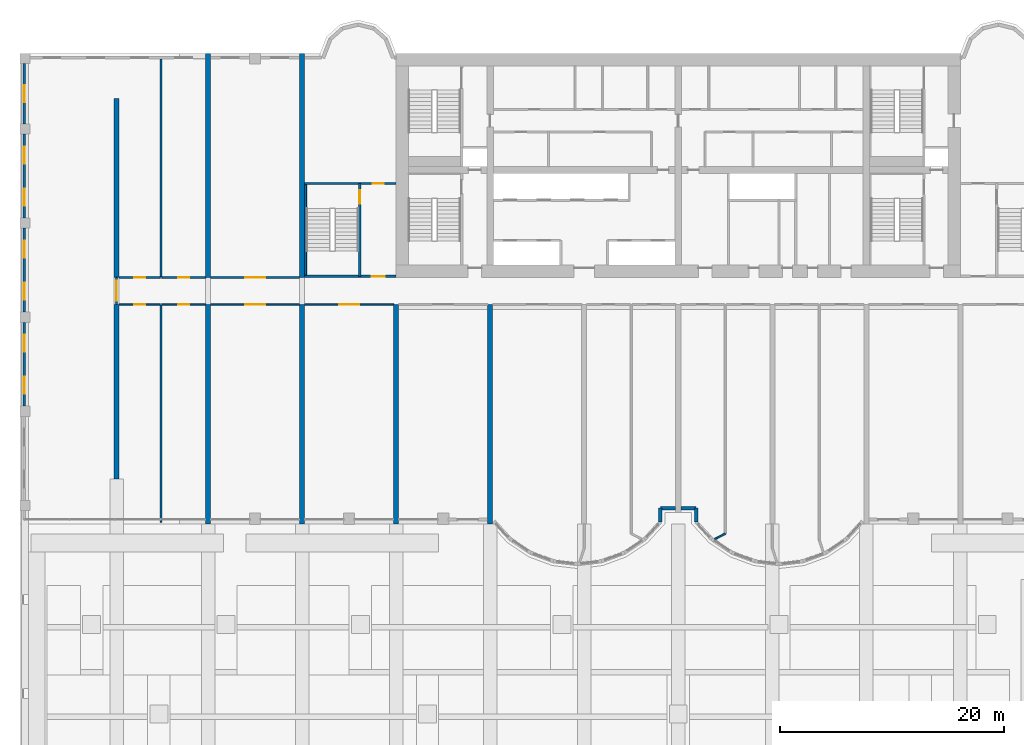
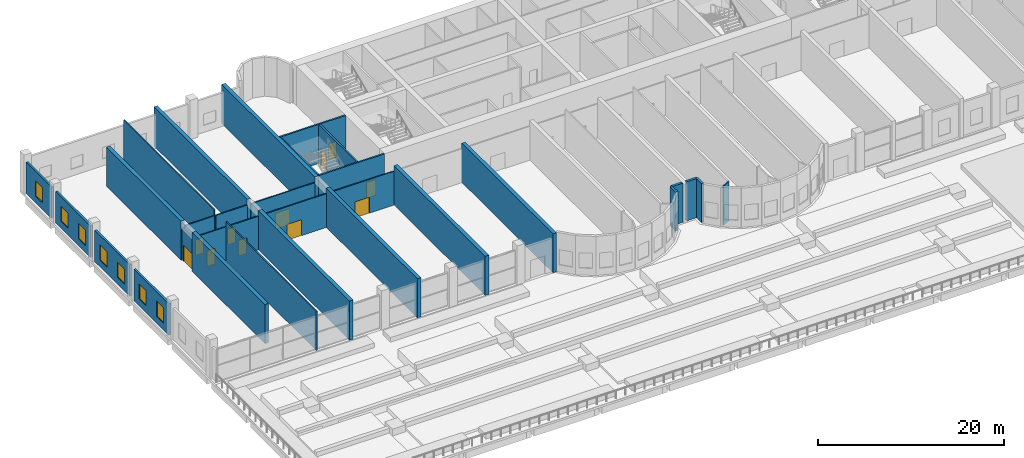
# One storey, part 9 of 20: 31 walls, 11 doors, 7 windows, 18 openings.
"""IFC4 building model written with IfcOpenShell, lengths in metres."""

from ifc_helpers import new_model, si_unit, direction, frame, frame_2d, origin, place, context, subcontext, project, spatial, rectangle, extrude, source, transform, mapped, material, layer, layer_set, type_object, element, fill, save


model = new_model("IFC4")

# Units and contexts
model_context = context("Model", 3, precision=1e-05, world=origin(), true_north=direction((0.0, 1.0)))
body_context = subcontext(model_context, "Body", "Model", "MODEL_VIEW")
ifc_project = project(units=[si_unit("LENGTHUNIT", "METRE"), si_unit("AREAUNIT", "SQUARE_METRE"), si_unit("VOLUMEUNIT", "CUBIC_METRE"), si_unit("PLANEANGLEUNIT", "RADIAN"), si_unit("MASSUNIT", "GRAM", prefix="KILO")], contexts=[model_context])

# Site, building, storey
site_placement = place(None, origin())
site = spatial("IfcSite", under=ifc_project, at=site_placement, CompositionType="ELEMENT")
building_placement = place(site_placement, origin())
building = spatial("IfcBuilding", under=site, at=building_placement, Name="Vanashikhar Sky Hotel", CompositionType="ELEMENT")
storey_placement = place(building_placement, frame((0.0, 0.0, 6.0)))
storey = spatial("IfcBuildingStorey", under=building, at=storey_placement, Name="L01", CompositionType="ELEMENT", Elevation=6.0)

# Walls
ifc_material_1 = material(Name="Concrete M80", Category="concrete")
ifc_layer_1 = layer(ifc_material_1, 0.449951171875)
ifc_layer_set_1 = layer_set([ifc_layer_1], Name="RC shear wall 450 Concrete M80")
wall_type_1 = type_object("IfcWallType", Name="RC shear wall 450 Concrete M80", PredefinedType="SHEAR", material=ifc_layer_set_1)
shared_shape_1 = source(origin(), body_context, "Body", "SweptSolid", [
    extrude(rectangle(XDim=15.60009765625, YDim=0.449951171875, at=frame_2d((7.800048828125, 0.0))), origin(), (0.0, 0.0, 1.0), 5.1201171875),
])
wall_1_placement = place(storey_placement, frame((0.22509765625, 4.0, 0.0), z_axis=(0.0, 0.0, 1.0), x_axis=(0.0, 1.0, 0.0)))
element("IfcWall", 1, at=wall_1_placement, inside=storey, type_object=wall_type_1, Name="CW-L01-XW01-1", PredefinedType="SHEAR", context=body_context, shape_type="MappedRepresentation", body=[
    mapped(shared_shape_1, transform((0.0, 0.0, 0.0), scale=1.0)),
])
shared_shape_2 = source(origin(), body_context, "Body", "SweptSolid", [
    extrude(rectangle(XDim=16.0, YDim=0.449951171875, at=frame_2d((8.0, 0.0))), origin(), (0.0, 0.0, 1.0), 5.1201171875),
])
wall_2_placement = place(storey_placement, frame((0.22509765625, 22.0, 0.0), z_axis=(0.0, 0.0, 1.0), x_axis=(0.0, 1.0, 0.0)))
element("IfcWall", 2, at=wall_2_placement, inside=storey, type_object=wall_type_1, Name="CW-L01-XW01-2", PredefinedType="SHEAR", context=body_context, shape_type="MappedRepresentation", body=[
    mapped(shared_shape_2, transform((0.0, 0.0, 0.0), scale=1.0)),
])
shared_shape_3 = source(origin(), body_context, "Body", "SweptSolid", [
    extrude(rectangle(XDim=19.60009765625, YDim=0.449951171875, at=frame_2d((9.800048828125, 0.0))), origin(), (0.0, 0.0, 1.0), 5.1201171875),
])
for number, where, z_axis, x_axis, name in (
    (3, (8.39990234375, 0.0, 0.0), (0.0, 0.0, 1.0), (0.0, 1.0, 0.0), "CW-L01-XW02-1"),
    (4, (16.800048828125, 0.0, 0.0), (0.0, 0.0, 1.0), (0.0, 1.0, 0.0), "CW-L01-XW03-1"),
    (5, (25.199951171875, 0.0, 0.0), (0.0, 0.0, 1.0), (0.0, 1.0, 0.0), "CW-L01-XW04-1"),
    (6, (33.60009765625, 0.0, 0.0), (0.0, 0.0, 1.0), (0.0, 1.0, 0.0), "CW-L01-XW05-1"),
):
    element("IfcWall", number, at=place(storey_placement, frame(where, z_axis=z_axis, x_axis=x_axis)), inside=storey, type_object=wall_type_1, Name=name, PredefinedType="SHEAR", context=body_context, shape_type="MappedRepresentation", body=[
        mapped(shared_shape_3, transform((0.0, 0.0, 0.0), scale=1.0)),
    ])
shared_shape_4 = source(origin(), body_context, "Body", "SweptSolid", [
    extrude(rectangle(XDim=20.0, YDim=0.449951171875, at=frame_2d((10.0, 0.0))), origin(), (0.0, 0.0, 1.0), 5.1201171875),
])
for number, where, z_axis, x_axis, name in (
    (7, (8.39990234375, 22.0, 0.0), (0.0, 0.0, 1.0), (0.0, 1.0, 0.0), "CW-L01-XW02-2"),
    (8, (16.800048828125, 22.0, 0.0), (0.0, 0.0, 1.0), (0.0, 1.0, 0.0), "CW-L01-XW03-2"),
):
    element("IfcWall", number, at=place(storey_placement, frame(where, z_axis=z_axis, x_axis=x_axis)), inside=storey, type_object=wall_type_1, Name=name, PredefinedType="SHEAR", context=body_context, shape_type="MappedRepresentation", body=[
        mapped(shared_shape_4, transform((0.0, 0.0, 0.0), scale=1.0)),
    ])
ifc_material_2 = material(Name="Concrete M50", Category="concrete")
ifc_layer_2 = layer(ifc_material_2, 0.300048828125)
ifc_layer_set_2 = layer_set([ifc_layer_2], Name="Lobe wall 300")
wall_type_2 = type_object("IfcWallType", Name="Lobe wall 300", PredefinedType="SOLIDWALL", material=ifc_layer_set_2)
shared_shape_5 = source(origin(), body_context, "Body", "SweptSolid", [
    extrude(rectangle(XDim=1.244384765625, YDim=0.300048828125, at=frame_2d((0.6220703125, 0.0))), origin(), (0.0, 0.0, 1.0), 5.1201171875),
])
for number, where, z_axis, x_axis, name in (
    (9, (48.800048828125, 0.155517578125, 0.0), (0.0, 0.0, 1.0), (0.0, 1.0, 0.0), "Groove wall"),
    (10, (52.0, 1.39990234375, 0.0), (0.0, 0.0, 1.0), (0.0, -1.0, 0.0), "Groove wall"),
):
    element("IfcWall", number, at=place(storey_placement, frame(where, z_axis=z_axis, x_axis=x_axis)), inside=storey, type_object=wall_type_2, Name=name, PredefinedType="SOLIDWALL", context=body_context, shape_type="MappedRepresentation", body=[
        mapped(shared_shape_5, transform((0.0, 0.0, 0.0), scale=1.0)),
    ])
shared_shape_6 = source(origin(), body_context, "Body", "SweptSolid", [
    extrude(rectangle(XDim=1.375, YDim=0.300048828125, at=frame_2d((0.6875, 0.0))), origin(), (0.0, 0.0, 1.0), 5.1201171875),
])
for number, where, z_axis, x_axis, name in (
    (11, (48.800048828125, 1.39990234375, 0.0), (0.0, 0.0, 1.0), (1.0, 0.0, 0.0), "Groove wall"),
    (12, (50.625, 1.39990234375, 0.0), (0.0, 0.0, 1.0), (1.0, 0.0, 0.0), "Groove wall"),
):
    element("IfcWall", number, at=place(storey_placement, frame(where, z_axis=z_axis, x_axis=x_axis)), inside=storey, type_object=wall_type_2, Name=name, PredefinedType="SOLIDWALL", context=body_context, shape_type="MappedRepresentation", body=[
        mapped(shared_shape_6, transform((0.0, 0.0, 0.0), scale=1.0)),
    ])

# Wall, openings, windows
ifc_layer_3 = layer(ifc_material_2, 0.25)
ifc_layer_set_3 = layer_set([ifc_layer_3], Name="Rear and end board-marked wall 250")
wall_type_3 = type_object("IfcWallType", Name="Rear and end board-marked wall 250", PredefinedType="SOLIDWALL", material=ifc_layer_set_3)
shared_shape_7 = source(origin(), body_context, "Body", "SweptSolid", [
    extrude(rectangle(XDim=7.5, YDim=0.25, at=frame_2d((3.75, 0.0))), origin(), (0.0, 0.0, 1.0), 4.1201171875),
])
wall_3_placement = place(storey_placement, frame((-8.02490234375, 34.800048828125, 0.0), z_axis=(0.0, 0.0, 1.0), x_axis=(0.0, -1.0, 0.0)))
wall_3 = element("IfcWall", 13, at=wall_3_placement, inside=storey, type_object=wall_type_3, Name="Podium external wall", PredefinedType="SOLIDWALL", context=body_context, shape_type="MappedRepresentation", body=[
    mapped(shared_shape_7, transform((0.0, 0.0, 0.0), scale=1.0)),
])
shared_shape_8 = source(origin(), body_context, "Body", "SweptSolid", [
    extrude(rectangle(XDim=1.5, YDim=2.0, at=frame_2d((0.75, 1.0))), frame((0.0, 0.135009765625, 0.0), z_axis=(0.0, -1.0, 0.0), x_axis=(1.0, 0.0, 0.0)), (0.0, 0.0, 1.0), 0.27001953125),
])
opening_1_placement = place(wall_3_placement, frame((1.125, 0.0, 0.89990234375)))
opening_1 = element("IfcOpeningElement", 14, at=opening_1_placement, cuts=wall_3, Name="Opening WN-2", PredefinedType="OPENING", context=body_context, shape_type="MappedRepresentation", body=[
    mapped(shared_shape_8, transform((0.0, 0.0, 0.0), scale=1.0)),
])
opening_2_placement = place(wall_3_placement, frame((4.875, 0.0, 0.89990234375)))
opening_2 = element("IfcOpeningElement", 15, at=opening_2_placement, cuts=wall_3, Name="Opening WN-2", PredefinedType="OPENING", context=body_context, shape_type="MappedRepresentation", body=[
    mapped(shared_shape_8, transform((0.0, 0.0, 0.0), scale=1.0)),
])
ifc_material_3 = material(Name="Glass", Category="glass")
window_type = type_object("IfcWindowType", Name="Lobe window 1500 x 2000", PartitioningType="SINGLE_PANEL", PredefinedType="WINDOW", material=ifc_material_3)
shared_shape_9 = source(origin(), body_context, "Body", "SweptSolid", [
    extrude(rectangle(XDim=1.5, YDim=2.0, at=frame_2d((0.75, 1.0))), frame((0.0, 0.030029296875, 0.0), z_axis=(0.0, -1.0, 0.0), x_axis=(1.0, 0.0, 0.0)), (0.0, 0.0, 1.0), 0.06005859375),
])
window_1_placement = place(opening_1_placement, origin())
window_1 = element("IfcWindow", 16, at=window_1_placement, inside=storey, type_object=window_type, Name="Window WN-2", OverallHeight=2.0, OverallWidth=1.5, PartitioningType="SINGLE_PANEL", PredefinedType="WINDOW", context=body_context, shape_type="MappedRepresentation", body=[
    mapped(shared_shape_9, transform((0.0, 0.0, 0.0), scale=1.0)),
])
fill(opening_1, window_1)
window_2_placement = place(opening_2_placement, origin())
window_2 = element("IfcWindow", 17, at=window_2_placement, inside=storey, type_object=window_type, Name="Window WN-2", OverallHeight=2.0, OverallWidth=1.5, PartitioningType="SINGLE_PANEL", PredefinedType="WINDOW", context=body_context, shape_type="MappedRepresentation", body=[
    mapped(shared_shape_9, transform((0.0, 0.0, 0.0), scale=1.0)),
])
fill(opening_2, window_2)

wall_4_placement = place(storey_placement, frame((-8.02490234375, 26.39990234375, 0.0), z_axis=(0.0, 0.0, 1.0), x_axis=(0.0, -1.0, 0.0)))
wall_4 = element("IfcWall", 18, at=wall_4_placement, inside=storey, type_object=wall_type_3, Name="Podium external wall", PredefinedType="SOLIDWALL", context=body_context, shape_type="MappedRepresentation", body=[
    mapped(shared_shape_7, transform((0.0, 0.0, 0.0), scale=1.0)),
])
opening_3_placement = place(wall_4_placement, frame((1.125, 0.0, 0.89990234375)))
opening_3 = element("IfcOpeningElement", 19, at=opening_3_placement, cuts=wall_4, Name="Opening WN-2", PredefinedType="OPENING", context=body_context, shape_type="MappedRepresentation", body=[
    mapped(shared_shape_8, transform((0.0, 0.0, 0.0), scale=1.0)),
])
opening_4_placement = place(wall_4_placement, frame((4.875, 0.0, 0.89990234375)))
opening_4 = element("IfcOpeningElement", 20, at=opening_4_placement, cuts=wall_4, Name="Opening WN-2", PredefinedType="OPENING", context=body_context, shape_type="MappedRepresentation", body=[
    mapped(shared_shape_8, transform((0.0, 0.0, 0.0), scale=1.0)),
])
window_3_placement = place(opening_3_placement, origin())
window_3 = element("IfcWindow", 21, at=window_3_placement, inside=storey, type_object=window_type, Name="Window WN-2", OverallHeight=2.0, OverallWidth=1.5, PartitioningType="SINGLE_PANEL", PredefinedType="WINDOW", context=body_context, shape_type="MappedRepresentation", body=[
    mapped(shared_shape_9, transform((0.0, 0.0, 0.0), scale=1.0)),
])
fill(opening_3, window_3)
window_4_placement = place(opening_4_placement, origin())
window_4 = element("IfcWindow", 22, at=window_4_placement, inside=storey, type_object=window_type, Name="Window WN-2", OverallHeight=2.0, OverallWidth=1.5, PartitioningType="SINGLE_PANEL", PredefinedType="WINDOW", context=body_context, shape_type="MappedRepresentation", body=[
    mapped(shared_shape_9, transform((0.0, 0.0, 0.0), scale=1.0)),
])
fill(opening_4, window_4)

wall_5_placement = place(storey_placement, frame((-8.02490234375, 18.0, 0.0), z_axis=(0.0, 0.0, 1.0), x_axis=(0.0, -1.0, 0.0)))
wall_5 = element("IfcWall", 23, at=wall_5_placement, inside=storey, type_object=wall_type_3, Name="Podium external wall", PredefinedType="SOLIDWALL", context=body_context, shape_type="MappedRepresentation", body=[
    mapped(shared_shape_7, transform((0.0, 0.0, 0.0), scale=1.0)),
])
opening_5_placement = place(wall_5_placement, frame((1.125, 0.0, 0.89990234375)))
opening_5 = element("IfcOpeningElement", 24, at=opening_5_placement, cuts=wall_5, Name="Opening WN-2", PredefinedType="OPENING", context=body_context, shape_type="MappedRepresentation", body=[
    mapped(shared_shape_8, transform((0.0, 0.0, 0.0), scale=1.0)),
])
opening_6_placement = place(wall_5_placement, frame((4.875, 0.0, 0.89990234375)))
opening_6 = element("IfcOpeningElement", 25, at=opening_6_placement, cuts=wall_5, Name="Opening WN-2", PredefinedType="OPENING", context=body_context, shape_type="MappedRepresentation", body=[
    mapped(shared_shape_8, transform((0.0, 0.0, 0.0), scale=1.0)),
])
window_5_placement = place(opening_5_placement, origin())
window_5 = element("IfcWindow", 26, at=window_5_placement, inside=storey, type_object=window_type, Name="Window WN-2", OverallHeight=2.0, OverallWidth=1.5, PartitioningType="SINGLE_PANEL", PredefinedType="WINDOW", context=body_context, shape_type="MappedRepresentation", body=[
    mapped(shared_shape_9, transform((0.0, 0.0, 0.0), scale=1.0)),
])
fill(opening_5, window_5)
window_6_placement = place(opening_6_placement, origin())
window_6 = element("IfcWindow", 27, at=window_6_placement, inside=storey, type_object=window_type, Name="Window WN-2", OverallHeight=2.0, OverallWidth=1.5, PartitioningType="SINGLE_PANEL", PredefinedType="WINDOW", context=body_context, shape_type="MappedRepresentation", body=[
    mapped(shared_shape_9, transform((0.0, 0.0, 0.0), scale=1.0)),
])
fill(opening_6, window_6)

# Wall, opening, window
shared_shape_10 = source(origin(), body_context, "Body", "SweptSolid", [
    extrude(rectangle(XDim=5.400146484375, YDim=0.25, at=frame_2d((2.7001953125, 0.0))), origin(), (0.0, 0.0, 1.0), 4.1201171875),
])
wall_6_placement = place(storey_placement, frame((-8.02490234375, 41.10009765625, 0.0), z_axis=(0.0, 0.0, 1.0), x_axis=(0.0, -1.0, 0.0)))
wall_6 = element("IfcWall", 28, at=wall_6_placement, inside=storey, type_object=wall_type_3, Name="Podium external wall", PredefinedType="SOLIDWALL", context=body_context, shape_type="MappedRepresentation", body=[
    mapped(shared_shape_10, transform((0.0, 0.0, 0.0), scale=1.0)),
])
opening_7_placement = place(wall_6_placement, frame((1.949951171875, 0.0, 0.89990234375)))
opening_7 = element("IfcOpeningElement", 29, at=opening_7_placement, cuts=wall_6, Name="Opening WN-2", PredefinedType="OPENING", context=body_context, shape_type="MappedRepresentation", body=[
    mapped(shared_shape_8, transform((0.0, 0.0, 0.0), scale=1.0)),
])
window_7_placement = place(opening_7_placement, origin())
window_7 = element("IfcWindow", 30, at=window_7_placement, inside=storey, type_object=window_type, Name="Window WN-2", OverallHeight=2.0, OverallWidth=1.5, PartitioningType="SINGLE_PANEL", PredefinedType="WINDOW", context=body_context, shape_type="MappedRepresentation", body=[
    mapped(shared_shape_9, transform((0.0, 0.0, 0.0), scale=1.0)),
])
fill(opening_7, window_7)

# Wall, opening, door
ifc_layer_4 = layer(ifc_material_2, 0.199951171875)
ifc_layer_set_4 = layer_set([ifc_layer_4], Name="Stair wall 200")
wall_type_4 = type_object("IfcWallType", Name="Stair wall 200", PredefinedType="SOLIDWALL", material=ifc_layer_set_4)
shared_shape_11 = source(origin(), body_context, "Body", "SweptSolid", [
    extrude(rectangle(XDim=8.2998046875, YDim=0.199951171875, at=frame_2d((4.14990234375, 0.0))), origin(), (0.0, 0.0, 1.0), 5.1201171875),
])
wall_7_placement = place(storey_placement, frame((21.949951171875, 22.10009765625, 0.0), z_axis=(0.0, 0.0, 1.0), x_axis=(0.0, 1.0, 0.0)))
wall_7 = element("IfcWall", 31, at=wall_7_placement, inside=storey, type_object=wall_type_4, Name="Stair wall 200", PredefinedType="SOLIDWALL", context=body_context, shape_type="MappedRepresentation", body=[
    mapped(shared_shape_11, transform((0.0, 0.0, 0.0), scale=1.0)),
])
shared_shape_12 = source(origin(), body_context, "Body", "SweptSolid", [
    extrude(rectangle(XDim=1.199951171875, YDim=2.10009765625, at=frame_2d((0.60009765625, 1.050048828125))), frame((0.0, 0.10986328125, 0.0), z_axis=(0.0, -1.0, 0.0), x_axis=(1.0, 0.0, 0.0)), (0.0, 0.0, 1.0), 0.219970703125),
])
opening_8_placement = place(wall_7_placement, frame((6.5, 0.0, 0.0)))
opening_8 = element("IfcOpeningElement", 32, at=opening_8_placement, cuts=wall_7, Name="Opening DC-1", PredefinedType="OPENING", context=body_context, shape_type="MappedRepresentation", body=[
    mapped(shared_shape_12, transform((0.0, 0.0, 0.0), scale=1.0)),
])
ifc_material_4 = material(Name="Steel", Category="steel")
door_type_1 = type_object("IfcDoorType", Name="Stair door 1200 FD120", OperationType="NOTDEFINED", PredefinedType="DOOR", material=ifc_material_4)
shared_shape_13 = source(origin(), body_context, "Body", "SweptSolid", [
    extrude(rectangle(XDim=1.199951171875, YDim=2.10009765625, at=frame_2d((0.60009765625, 1.050048828125))), frame((0.0, 0.02490234375, 0.0), z_axis=(0.0, -1.0, 0.0), x_axis=(1.0, 0.0, 0.0)), (0.0, 0.0, 1.0), 0.050048828125),
])
door_1_placement = place(opening_8_placement, origin())
door_1 = element("IfcDoor", 33, at=door_1_placement, inside=storey, type_object=door_type_1, Name="Stair door 1200 FD120", OperationType="SINGLE_SWING_LEFT", OverallHeight=2.10009765625, OverallWidth=1.199951171875, PredefinedType="DOOR", context=body_context, shape_type="MappedRepresentation", body=[
    mapped(shared_shape_13, transform((0.0, 0.0, 0.0), scale=1.0)),
])
fill(opening_8, door_1)

shared_shape_14 = source(origin(), body_context, "Body", "SweptSolid", [
    extrude(rectangle(XDim=8.175048828125, YDim=0.199951171875, at=frame_2d((4.08740234375, 0.0))), origin(), (0.0, 0.0, 1.0), 5.1201171875),
])
wall_8_placement = place(storey_placement, frame((17.02490234375, 22.10009765625, 0.0), z_axis=(0.0, 0.0, 1.0), x_axis=(1.0, 0.0, 0.0)))
wall_8 = element("IfcWall", 34, at=wall_8_placement, inside=storey, type_object=wall_type_4, Name="Stair wall 200", PredefinedType="SOLIDWALL", context=body_context, shape_type="MappedRepresentation", body=[
    mapped(shared_shape_14, transform((0.0, 0.0, 0.0), scale=1.0)),
])
opening_9_placement = place(wall_8_placement, frame((5.97509765625, 0.0, 0.0)))
opening_9 = element("IfcOpeningElement", 35, at=opening_9_placement, cuts=wall_8, Name="Opening DC-2", PredefinedType="OPENING", context=body_context, shape_type="MappedRepresentation", body=[
    mapped(shared_shape_12, transform((0.0, 0.0, 0.0), scale=1.0)),
])
door_type_2 = type_object("IfcDoorType", Name="Firefighting lobby door 1200 FD120", OperationType="NOTDEFINED", PredefinedType="DOOR", material=ifc_material_4)
door_2_placement = place(opening_9_placement, origin())
door_2 = element("IfcDoor", 36, at=door_2_placement, inside=storey, type_object=door_type_2, Name="Firefighting lobby door 1200 FD120", OperationType="SINGLE_SWING_LEFT", OverallHeight=2.10009765625, OverallWidth=1.199951171875, PredefinedType="DOOR", context=body_context, shape_type="MappedRepresentation", body=[
    mapped(shared_shape_13, transform((0.0, 0.0, 0.0), scale=1.0)),
])
fill(opening_9, door_2)

wall_9_placement = place(storey_placement, frame((17.02490234375, 30.39990234375, 0.0), z_axis=(0.0, 0.0, 1.0), x_axis=(1.0, 0.0, 0.0)))
wall_9 = element("IfcWall", 37, at=wall_9_placement, inside=storey, type_object=wall_type_4, Name="Stair wall 200", PredefinedType="SOLIDWALL", context=body_context, shape_type="MappedRepresentation", body=[
    mapped(shared_shape_14, transform((0.0, 0.0, 0.0), scale=1.0)),
])
shared_shape_15 = source(origin(), body_context, "Body", "SweptSolid", [
    extrude(rectangle(XDim=1.0, YDim=2.10009765625, at=frame_2d((0.5, 1.050048828125))), frame((0.0, 0.10986328125, 0.0), z_axis=(0.0, -1.0, 0.0), x_axis=(1.0, 0.0, 0.0)), (0.0, 0.0, 1.0), 0.219970703125),
])
opening_10_placement = place(wall_9_placement, frame((6.074951171875, 0.0, 0.0)))
opening_10 = element("IfcOpeningElement", 38, at=opening_10_placement, cuts=wall_9, Name="Opening DC-6", PredefinedType="OPENING", context=body_context, shape_type="MappedRepresentation", body=[
    mapped(shared_shape_15, transform((0.0, 0.0, 0.0), scale=1.0)),
])
door_type_3 = type_object("IfcDoorType", Name="Pocket door 1000 FD60", OperationType="NOTDEFINED", PredefinedType="DOOR", material=ifc_material_4)
shared_shape_16 = source(origin(), body_context, "Body", "SweptSolid", [
    extrude(rectangle(XDim=1.0, YDim=2.10009765625, at=frame_2d((0.5, 1.050048828125))), frame((0.0, 0.02490234375, 0.0), z_axis=(0.0, -1.0, 0.0), x_axis=(1.0, 0.0, 0.0)), (0.0, 0.0, 1.0), 0.050048828125),
])
door_3_placement = place(opening_10_placement, origin())
door_3 = element("IfcDoor", 39, at=door_3_placement, inside=storey, type_object=door_type_3, Name="Pocket door 1000 FD60", OperationType="SINGLE_SWING_LEFT", OverallHeight=2.10009765625, OverallWidth=1.0, PredefinedType="DOOR", context=body_context, shape_type="MappedRepresentation", body=[
    mapped(shared_shape_16, transform((0.0, 0.0, 0.0), scale=1.0)),
])
fill(opening_10, door_3)

# Wall
ifc_layer_5 = layer(ifc_material_2, 0.175048828125)
ifc_layer_set_5 = layer_set([ifc_layer_5], Name="Stair infill wall 175")
wall_type_5 = type_object("IfcWallType", Name="Stair infill wall 175", PredefinedType="SOLIDWALL", material=ifc_layer_set_5)
shared_shape_17 = source(origin(), body_context, "Body", "SweptSolid", [
    extrude(rectangle(XDim=8.10009765625, YDim=0.175048828125, at=frame_2d((4.050048828125, 0.0))), origin(), (0.0, 0.0, 1.0), 5.1201171875),
])
wall_10_placement = place(storey_placement, frame((17.112060546875, 22.199951171875, 0.0), z_axis=(0.0, 0.0, 1.0), x_axis=(0.0, 1.0, 0.0)))
element("IfcWall", 40, at=wall_10_placement, inside=storey, type_object=wall_type_5, Name="Stair infill wall 175", PredefinedType="SOLIDWALL", context=body_context, shape_type="MappedRepresentation", body=[
    mapped(shared_shape_17, transform((0.0, 0.0, 0.0), scale=1.0)),
])

# Wall, opening, door
ifc_material_5 = material(Name="Gypsum plasterboard partition")
ifc_layer_6 = layer(ifc_material_5, 0.14990234375)
ifc_layer_set_6 = layer_set([ifc_layer_6], Name="Corridor and demising partition 150")
wall_type_6 = type_object("IfcWallType", Name="Corridor and demising partition 150", PredefinedType="PARTITIONING", material=ifc_layer_set_6)
shared_shape_18 = source(origin(), body_context, "Body", "SweptSolid", [
    extrude(rectangle(XDim=3.675048828125, YDim=0.14990234375, at=frame_2d((1.83740234375, 0.0))), origin(), (0.0, 0.0, 1.0), 4.419921875),
])
wall_11_placement = place(storey_placement, frame((0.449951171875, 19.60009765625, 0.0), z_axis=(0.0, 0.0, 1.0), x_axis=(1.0, 0.0, 0.0)))
wall_11 = element("IfcWall", 41, at=wall_11_placement, inside=storey, type_object=wall_type_6, Name="W-L01-PW001", PredefinedType="PARTITIONING", context=body_context, shape_type="MappedRepresentation", body=[
    mapped(shared_shape_18, transform((0.0, 0.0, 0.0), scale=1.0)),
])
shared_shape_19 = source(origin(), body_context, "Body", "SweptSolid", [
    extrude(rectangle(XDim=1.0, YDim=2.10009765625, at=frame_2d((0.5, 1.050048828125))), frame((0.0, 0.0849609375, 0.0), z_axis=(0.0, -1.0, 0.0), x_axis=(1.0, 0.0, 0.0)), (0.0, 0.0, 1.0), 0.169921875),
])
opening_11_placement = place(wall_11_placement, frame((1.337890625, 0.0, 0.0)))
opening_11 = element("IfcOpeningElement", 42, at=opening_11_placement, cuts=wall_11, Name="Opening D-01", PredefinedType="OPENING", context=body_context, shape_type="MappedRepresentation", body=[
    mapped(shared_shape_19, transform((0.0, 0.0, 0.0), scale=1.0)),
])
ifc_material_6 = material(Name="Timber fire door", Category="wood")
door_type_4 = type_object("IfcDoorType", Name="Guest entry door 1000 FD30S", OperationType="NOTDEFINED", PredefinedType="DOOR", material=ifc_material_6)
door_4_placement = place(opening_11_placement, origin())
door_4 = element("IfcDoor", 43, at=door_4_placement, inside=storey, type_object=door_type_4, Name="D-L01-001", OperationType="SINGLE_SWING_LEFT", OverallHeight=2.10009765625, OverallWidth=1.0, PredefinedType="DOOR", context=body_context, shape_type="MappedRepresentation", body=[
    mapped(shared_shape_16, transform((0.0, 0.0, 0.0), scale=1.0)),
])
fill(opening_11, door_4)

wall_12_placement = place(storey_placement, frame((0.449951171875, 22.0, 0.0), z_axis=(0.0, 0.0, 1.0), x_axis=(1.0, 0.0, 0.0)))
wall_12 = element("IfcWall", 44, at=wall_12_placement, inside=storey, type_object=wall_type_6, Name="W-L01-PW027", PredefinedType="PARTITIONING", context=body_context, shape_type="MappedRepresentation", body=[
    mapped(shared_shape_18, transform((0.0, 0.0, 0.0), scale=1.0)),
])
opening_12_placement = place(wall_12_placement, frame((1.337890625, 0.0, 0.0)))
opening_12 = element("IfcOpeningElement", 45, at=opening_12_placement, cuts=wall_12, Name="Opening D-01", PredefinedType="OPENING", context=body_context, shape_type="MappedRepresentation", body=[
    mapped(shared_shape_19, transform((0.0, 0.0, 0.0), scale=1.0)),
])
door_5_placement = place(opening_12_placement, origin())
door_5 = element("IfcDoor", 46, at=door_5_placement, inside=storey, type_object=door_type_4, Name="D-L01-020", OperationType="SINGLE_SWING_LEFT", OverallHeight=2.10009765625, OverallWidth=1.0, PredefinedType="DOOR", context=body_context, shape_type="MappedRepresentation", body=[
    mapped(shared_shape_16, transform((0.0, 0.0, 0.0), scale=1.0)),
])
fill(opening_12, door_5)

shared_shape_20 = source(origin(), body_context, "Body", "SweptSolid", [
    extrude(rectangle(XDim=3.900146484375, YDim=0.14990234375, at=frame_2d((1.9501953125, 0.0))), origin(), (0.0, 0.0, 1.0), 4.419921875),
])
wall_13_placement = place(storey_placement, frame((4.27490234375, 19.60009765625, 0.0), z_axis=(0.0, 0.0, 1.0), x_axis=(1.0, 0.0, 0.0)))
wall_13 = element("IfcWall", 47, at=wall_13_placement, inside=storey, type_object=wall_type_6, Name="W-L01-PW002", PredefinedType="PARTITIONING", context=body_context, shape_type="MappedRepresentation", body=[
    mapped(shared_shape_20, transform((0.0, 0.0, 0.0), scale=1.0)),
])
opening_13_placement = place(wall_13_placement, frame((1.449951171875, 0.0, 0.0)))
opening_13 = element("IfcOpeningElement", 48, at=opening_13_placement, cuts=wall_13, Name="Opening D-01", PredefinedType="OPENING", context=body_context, shape_type="MappedRepresentation", body=[
    mapped(shared_shape_19, transform((0.0, 0.0, 0.0), scale=1.0)),
])
door_6_placement = place(opening_13_placement, origin())
door_6 = element("IfcDoor", 49, at=door_6_placement, inside=storey, type_object=door_type_4, Name="D-L01-002", OperationType="SINGLE_SWING_RIGHT", OverallHeight=2.10009765625, OverallWidth=1.0, PredefinedType="DOOR", context=body_context, shape_type="MappedRepresentation", body=[
    mapped(shared_shape_16, transform((0.0, 0.0, 0.0), scale=1.0)),
])
fill(opening_13, door_6)

wall_14_placement = place(storey_placement, frame((4.27490234375, 22.0, 0.0), z_axis=(0.0, 0.0, 1.0), x_axis=(1.0, 0.0, 0.0)))
wall_14 = element("IfcWall", 50, at=wall_14_placement, inside=storey, type_object=wall_type_6, Name="W-L01-PW028", PredefinedType="PARTITIONING", context=body_context, shape_type="MappedRepresentation", body=[
    mapped(shared_shape_20, transform((0.0, 0.0, 0.0), scale=1.0)),
])
opening_14_placement = place(wall_14_placement, frame((1.449951171875, 0.0, 0.0)))
opening_14 = element("IfcOpeningElement", 51, at=opening_14_placement, cuts=wall_14, Name="Opening D-01", PredefinedType="OPENING", context=body_context, shape_type="MappedRepresentation", body=[
    mapped(shared_shape_19, transform((0.0, 0.0, 0.0), scale=1.0)),
])
door_7_placement = place(opening_14_placement, origin())
door_7 = element("IfcDoor", 52, at=door_7_placement, inside=storey, type_object=door_type_4, Name="D-L01-021", OperationType="SINGLE_SWING_RIGHT", OverallHeight=2.10009765625, OverallWidth=1.0, PredefinedType="DOOR", context=body_context, shape_type="MappedRepresentation", body=[
    mapped(shared_shape_16, transform((0.0, 0.0, 0.0), scale=1.0)),
])
fill(opening_14, door_7)

# Wall
shared_shape_21 = source(origin(), body_context, "Body", "SweptSolid", [
    extrude(rectangle(XDim=19.375, YDim=0.14990234375, at=frame_2d((9.6875, 0.0))), origin(), (0.0, 0.0, 1.0), 5.1201171875),
])
wall_15_placement = place(storey_placement, frame((4.199951171875, 0.14990234375, 0.0), z_axis=(0.0, 0.0, 1.0), x_axis=(0.0, 1.0, 0.0)))
element("IfcWall", 53, at=wall_15_placement, inside=storey, type_object=wall_type_6, Name="W-L01-PW003", PredefinedType="PARTITIONING", context=body_context, shape_type="MappedRepresentation", body=[
    mapped(shared_shape_21, transform((0.0, 0.0, 0.0), scale=1.0)),
])

# Wall, opening, door
shared_shape_22 = source(origin(), body_context, "Body", "SweptSolid", [
    extrude(rectangle(XDim=7.949951171875, YDim=0.14990234375, at=frame_2d((3.97509765625, 0.0))), origin(), (0.0, 0.0, 1.0), 4.419921875),
])
wall_16_placement = place(storey_placement, frame((8.625, 19.60009765625, 0.0), z_axis=(0.0, 0.0, 1.0), x_axis=(1.0, 0.0, 0.0)))
wall_16 = element("IfcWall", 54, at=wall_16_placement, inside=storey, type_object=wall_type_6, Name="W-L01-PW004", PredefinedType="PARTITIONING", context=body_context, shape_type="MappedRepresentation", body=[
    mapped(shared_shape_22, transform((0.0, 0.0, 0.0), scale=1.0)),
])
shared_shape_23 = source(origin(), body_context, "Body", "SweptSolid", [
    extrude(rectangle(XDim=1.800048828125, YDim=2.10009765625, at=frame_2d((0.89990234375, 1.050048828125))), frame((0.0, 0.0849609375, 0.0), z_axis=(0.0, -1.0, 0.0), x_axis=(1.0, 0.0, 0.0)), (0.0, 0.0, 1.0), 0.169921875),
])
opening_15_placement = place(wall_16_placement, frame((3.074951171875, 0.0, 0.0)))
opening_15 = element("IfcOpeningElement", 55, at=opening_15_placement, cuts=wall_16, Name="Opening D-03", PredefinedType="OPENING", context=body_context, shape_type="MappedRepresentation", body=[
    mapped(shared_shape_23, transform((0.0, 0.0, 0.0), scale=1.0)),
])
door_type_5 = type_object("IfcDoorType", Name="Double leaf door 1800 FD30S", OperationType="NOTDEFINED", PredefinedType="DOOR", material=ifc_material_6)
shared_shape_24 = source(origin(), body_context, "Body", "SweptSolid", [
    extrude(rectangle(XDim=1.800048828125, YDim=2.10009765625, at=frame_2d((0.89990234375, 1.050048828125))), frame((0.0, 0.02490234375, 0.0), z_axis=(0.0, -1.0, 0.0), x_axis=(1.0, 0.0, 0.0)), (0.0, 0.0, 1.0), 0.050048828125),
])
door_8_placement = place(opening_15_placement, origin())
door_8 = element("IfcDoor", 56, at=door_8_placement, inside=storey, type_object=door_type_5, Name="D-L01-003", OperationType="DOUBLE_DOOR_SINGLE_SWING", OverallHeight=2.10009765625, OverallWidth=1.800048828125, PredefinedType="DOOR", context=body_context, shape_type="MappedRepresentation", body=[
    mapped(shared_shape_24, transform((0.0, 0.0, 0.0), scale=1.0)),
])
fill(opening_15, door_8)

wall_17_placement = place(storey_placement, frame((8.625, 22.0, 0.0), z_axis=(0.0, 0.0, 1.0), x_axis=(1.0, 0.0, 0.0)))
wall_17 = element("IfcWall", 57, at=wall_17_placement, inside=storey, type_object=wall_type_6, Name="W-L01-PW030", PredefinedType="PARTITIONING", context=body_context, shape_type="MappedRepresentation", body=[
    mapped(shared_shape_22, transform((0.0, 0.0, 0.0), scale=1.0)),
])
opening_16_placement = place(wall_17_placement, frame((3.074951171875, 0.0, 0.0)))
opening_16 = element("IfcOpeningElement", 58, at=opening_16_placement, cuts=wall_17, Name="Opening D-03", PredefinedType="OPENING", context=body_context, shape_type="MappedRepresentation", body=[
    mapped(shared_shape_23, transform((0.0, 0.0, 0.0), scale=1.0)),
])
door_9_placement = place(opening_16_placement, origin())
door_9 = element("IfcDoor", 59, at=door_9_placement, inside=storey, type_object=door_type_5, Name="D-L01-022", OperationType="DOUBLE_DOOR_SINGLE_SWING", OverallHeight=2.10009765625, OverallWidth=1.800048828125, PredefinedType="DOOR", context=body_context, shape_type="MappedRepresentation", body=[
    mapped(shared_shape_24, transform((0.0, 0.0, 0.0), scale=1.0)),
])
fill(opening_16, door_9)

shared_shape_25 = source(origin(), body_context, "Body", "SweptSolid", [
    extrude(rectangle(XDim=7.9501953125, YDim=0.14990234375, at=frame_2d((3.97509765625, 0.0))), origin(), (0.0, 0.0, 1.0), 4.419921875),
])
wall_18_placement = place(storey_placement, frame((17.02490234375, 19.60009765625, 0.0), z_axis=(0.0, 0.0, 1.0), x_axis=(1.0, 0.0, 0.0)))
wall_18 = element("IfcWall", 60, at=wall_18_placement, inside=storey, type_object=wall_type_6, Name="W-L01-PW005", PredefinedType="PARTITIONING", context=body_context, shape_type="MappedRepresentation", body=[
    mapped(shared_shape_25, transform((0.0, 0.0, 0.0), scale=1.0)),
])
opening_17_placement = place(wall_18_placement, frame((3.074951171875, 0.0, 0.0)))
opening_17 = element("IfcOpeningElement", 61, at=opening_17_placement, cuts=wall_18, Name="Opening D-03", PredefinedType="OPENING", context=body_context, shape_type="MappedRepresentation", body=[
    mapped(shared_shape_23, transform((0.0, 0.0, 0.0), scale=1.0)),
])
door_10_placement = place(opening_17_placement, origin())
door_10 = element("IfcDoor", 62, at=door_10_placement, inside=storey, type_object=door_type_5, Name="D-L01-004", OperationType="DOUBLE_DOOR_SINGLE_SWING", OverallHeight=2.10009765625, OverallWidth=1.800048828125, PredefinedType="DOOR", context=body_context, shape_type="MappedRepresentation", body=[
    mapped(shared_shape_24, transform((0.0, 0.0, 0.0), scale=1.0)),
])
fill(opening_17, door_10)

shared_shape_26 = source(origin(), body_context, "Body", "SweptSolid", [
    extrude(rectangle(XDim=2.39990234375, YDim=0.14990234375, at=frame_2d((1.199951171875, 0.0))), origin(), (0.0, 0.0, 1.0), 4.219970703125),
])
wall_19_placement = place(storey_placement, frame((0.22509765625, 19.60009765625, 0.0), z_axis=(0.0, 0.0, 1.0), x_axis=(0.0, 1.0, 0.0)))
wall_19 = element("IfcWall", 63, at=wall_19_placement, inside=storey, type_object=wall_type_6, Name="W-L01-PW025", PredefinedType="PARTITIONING", context=body_context, shape_type="MappedRepresentation", body=[
    mapped(shared_shape_26, transform((0.0, 0.0, 0.0), scale=1.0)),
])
opening_18_placement = place(wall_19_placement, frame((0.300048828125, 0.0, 0.0)))
opening_18 = element("IfcOpeningElement", 64, at=opening_18_placement, cuts=wall_19, Name="Opening D-03", PredefinedType="OPENING", context=body_context, shape_type="MappedRepresentation", body=[
    mapped(shared_shape_23, transform((0.0, 0.0, 0.0), scale=1.0)),
])
door_11_placement = place(opening_18_placement, origin())
door_11 = element("IfcDoor", 65, at=door_11_placement, inside=storey, type_object=door_type_5, Name="D-L01-018", OperationType="DOUBLE_DOOR_SINGLE_SWING", OverallHeight=2.10009765625, OverallWidth=1.800048828125, PredefinedType="DOOR", context=body_context, shape_type="MappedRepresentation", body=[
    mapped(shared_shape_24, transform((0.0, 0.0, 0.0), scale=1.0)),
])
fill(opening_18, door_11)

# Walls
shared_shape_27 = source(origin(), body_context, "Body", "SweptSolid", [
    extrude(rectangle(XDim=19.425048828125, YDim=0.14990234375, at=frame_2d((9.71240234375, 0.0))), origin(), (0.0, 0.0, 1.0), 5.1201171875),
])
wall_20_placement = place(storey_placement, frame((4.199951171875, 22.074951171875, 0.0), z_axis=(0.0, 0.0, 1.0), x_axis=(0.0, 1.0, 0.0)))
element("IfcWall", 66, at=wall_20_placement, inside=storey, type_object=wall_type_6, Name="W-L01-PW029", PredefinedType="PARTITIONING", context=body_context, shape_type="MappedRepresentation", body=[
    mapped(shared_shape_27, transform((0.0, 0.0, 0.0), scale=1.0)),
])
shared_shape_28 = source(origin(), body_context, "Body", "SweptSolid", [
    extrude(rectangle(XDim=1.057861328125, YDim=0.14990234375, at=frame_2d((0.52880859375, 0.0))), origin(), (0.0, 0.0, 1.0), 5.1201171875),
])
wall_21_placement = place(storey_placement, frame((53.659912109375, -1.365966796875, 0.0), z_axis=(0.0, 0.0, 1.0), x_axis=(0.888772319209, 0.458348955063, 0.0)))
element("IfcWall", 67, at=wall_21_placement, inside=storey, type_object=wall_type_6, Name="W-L01-PW013B0", PredefinedType="PARTITIONING", context=body_context, shape_type="MappedRepresentation", body=[
    mapped(shared_shape_28, transform((0.0, 0.0, 0.0), scale=1.0)),
])

save(model, "model.ifc")
